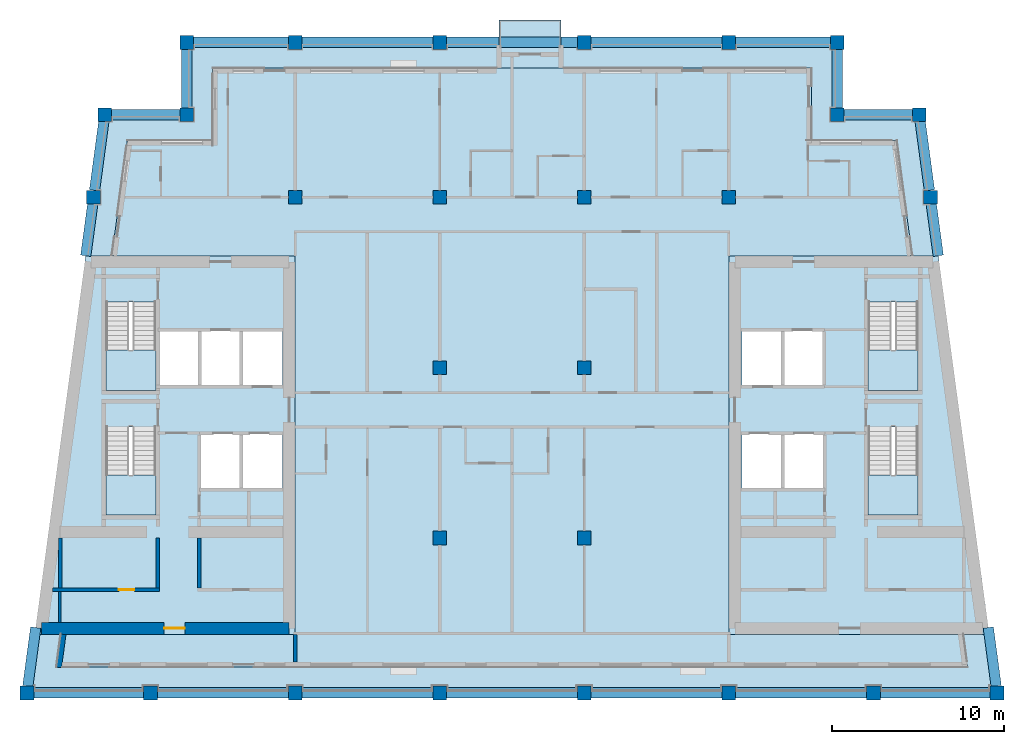
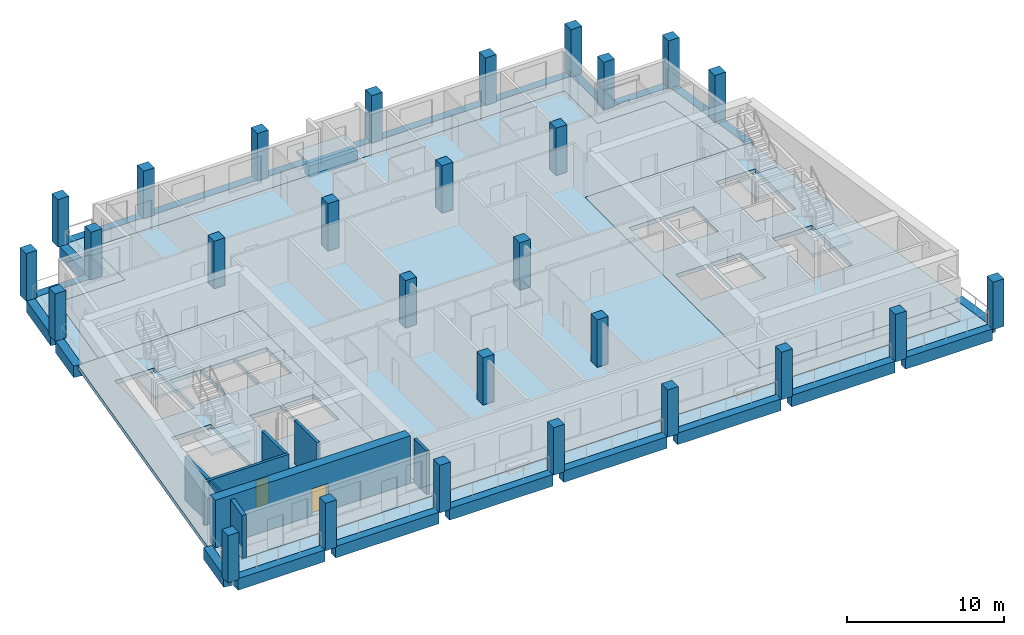
# One storey, part 1 of 13: 28 columns, 24 beams, 10 slabs, 8 walls, 2 doors, 2 openings, 4 elements without a shape of their own.
"""IFC4 building model written with IfcOpenShell, lengths in metres."""

from ifc_helpers import new_model, si_unit, direction, frame, frame_2d, origin, origin_2d, place, context, subcontext, project, spatial, polyline, rectangle, outline, extrude, material, layer, layer_set, material_profile, profile_set, type_object, element, fill, aggregate, save


model = new_model("IFC4")

# Units and contexts
model_context = context("Model", 3, precision=1e-05, world=origin(), true_north=direction((0.0, 1.0)))
body_context = subcontext(model_context, "Body", "Model", "MODEL_VIEW")
ifc_project = project(units=[si_unit("LENGTHUNIT", "METRE"), si_unit("AREAUNIT", "SQUARE_METRE"), si_unit("VOLUMEUNIT", "CUBIC_METRE"), si_unit("PLANEANGLEUNIT", "RADIAN"), si_unit("MASSUNIT", "GRAM", prefix="KILO")], contexts=[model_context])

# Site, building, storey
site_placement = place(None, origin())
site = spatial("IfcSite", under=ifc_project, at=site_placement, CompositionType="ELEMENT")
building_placement = place(site_placement, origin())
building = spatial("IfcBuilding", under=site, at=building_placement, Name="Candeia Pilgrim Tower and Theatre", CompositionType="ELEMENT")
storey_placement = place(building_placement, frame((0.0, 0.0, 262.699951171875)))
storey = spatial("IfcBuildingStorey", under=building, at=storey_placement, Name="L63", CompositionType="ELEMENT", Elevation=262.699951171875)

# Columns
ifc_material_1 = material(Name="Concrete C40/50", Category="concrete")
ifc_material_profile_1 = material_profile(ifc_material_1, rectangle(XDim=0.800048828125, YDim=0.800048828125, at=origin_2d()))
ifc_profile_set_1 = profile_set([ifc_material_profile_1], Name="Concrete C40/50")
column_type = type_object("IfcColumnType", Name="RC 800x800 C40/50", PredefinedType="COLUMN", material=ifc_profile_set_1)
for number, where, z_axis, x_axis, name in (
    (1, (94.5, 140.60009765625, 0.0), (0.0, 0.0, 1.0), (1.0, 0.0, 0.0), "Column NNW"),
    (2, (132.300048828125, 140.60009765625, 0.0), (0.0, 0.0, 1.0), (1.0, 0.0, 0.0), "Column NNE"),
    (3, (89.734619140625, 140.60009765625, 0.0), (0.0, 0.0, 1.0), (1.0, 0.0, 0.0), "Column LNW"),
    (4, (137.0654296875, 140.60009765625, 0.0), (0.0, 0.0, 1.0), (1.0, 0.0, 0.0), "Column LNE"),
    (5, (92.39990234375, 107.0, 0.0), (0.0, 0.0, 1.0), (1.0, 0.0, 0.0), "Column B1"),
    (6, (100.800048828125, 107.0, 0.0), (0.0, 0.0, 1.0), (1.0, 0.0, 0.0), "Column B2"),
    (7, (109.199951171875, 107.0, 0.0), (0.0, 0.0, 1.0), (1.0, 0.0, 0.0), "Column B3"),
    (8, (117.60009765625, 107.0, 0.0), (0.0, 0.0, 1.0), (1.0, 0.0, 0.0), "Column B4"),
    (9, (126.0, 107.0, 0.0), (0.0, 0.0, 1.0), (1.0, 0.0, 0.0), "Column B5"),
    (10, (134.39990234375, 107.0, 0.0), (0.0, 0.0, 1.0), (1.0, 0.0, 0.0), "Column B6"),
    (11, (85.21142578125, 107.0, 0.0), (0.0, 0.0, 1.0), (1.0, 0.0, 0.0), "Column BW"),
    (12, (141.58837890625, 107.0, 0.0), (0.0, 0.0, 1.0), (1.0, 0.0, 0.0), "Column BE"),
    (13, (109.199951171875, 116.0, 0.0), (0.0, 0.0, 1.0), (1.0, 0.0, 0.0), "Column C3"),
    (14, (117.60009765625, 116.0, 0.0), (0.0, 0.0, 1.0), (1.0, 0.0, 0.0), "Column C4"),
    (15, (109.199951171875, 125.89990234375, 0.0), (0.0, 0.0, 1.0), (1.0, 0.0, 0.0), "Column D3"),
    (16, (117.60009765625, 125.89990234375, 0.0), (0.0, 0.0, 1.0), (1.0, 0.0, 0.0), "Column D4"),
    (17, (100.800048828125, 135.800048828125, 0.0), (0.0, 0.0, 1.0), (1.0, 0.0, 0.0), "Column E2"),
    (18, (109.199951171875, 135.800048828125, 0.0), (0.0, 0.0, 1.0), (1.0, 0.0, 0.0), "Column E3"),
    (19, (117.60009765625, 135.800048828125, 0.0), (0.0, 0.0, 1.0), (1.0, 0.0, 0.0), "Column E4"),
    (20, (126.0, 135.800048828125, 0.0), (0.0, 0.0, 1.0), (1.0, 0.0, 0.0), "Column E5"),
    (21, (89.08837890625, 135.800048828125, 0.0), (0.0, 0.0, 1.0), (1.0, 0.0, 0.0), "Column EW"),
    (22, (137.71142578125, 135.800048828125, 0.0), (0.0, 0.0, 1.0), (1.0, 0.0, 0.0), "Column EE"),
    (23, (100.800048828125, 144.800048828125, 0.0), (0.0, 0.0, 1.0), (1.0, 0.0, 0.0), "Column F2"),
    (24, (109.199951171875, 144.800048828125, 0.0), (0.0, 0.0, 1.0), (1.0, 0.0, 0.0), "Column F3"),
    (25, (117.60009765625, 144.800048828125, 0.0), (0.0, 0.0, 1.0), (1.0, 0.0, 0.0), "Column F4"),
    (26, (126.0, 144.800048828125, 0.0), (0.0, 0.0, 1.0), (1.0, 0.0, 0.0), "Column F5"),
    (27, (94.5, 144.800048828125, 0.0), (0.0, 0.0, 1.0), (1.0, 0.0, 0.0), "Column FW"),
    (28, (132.300048828125, 144.800048828125, 0.0), (0.0, 0.0, 1.0), (1.0, 0.0, 0.0), "Column FE"),
):
    element("IfcColumn", number, at=place(storey_placement, frame(where, z_axis=z_axis, x_axis=x_axis)), inside=storey, type_object=column_type, Name=name, PredefinedType="COLUMN", context=body_context, shape_type="SweptSolid", body=[
        extrude(rectangle(XDim=0.800048828125, YDim=0.800048828125, at=origin_2d()), origin(), (0.0, 0.0, 1.0), 3.699951171875),
    ])

# Beams
ifc_material_profile_2 = material_profile(ifc_material_1, rectangle(XDim=0.60009765625, YDim=0.89990234375, at=origin_2d()))
ifc_profile_set_2 = profile_set([ifc_material_profile_2], Name="Concrete C40/50")
beam_type = type_object("IfcBeamType", Name="RC 600x900 C40/50", PredefinedType="BEAM", material=ifc_profile_set_2)
beam_1_placement = place(storey_placement, frame((90.134521484375, 140.60009765625, -0.449951171875), z_axis=(1.0, 0.0, 0.0), x_axis=(0.0, 1.0, 0.0)))
element("IfcBeam", 29, at=beam_1_placement, inside=storey, type_object=beam_type, Name="Spandrel beam L63-01", PredefinedType="BEAM", context=body_context, shape_type="SweptSolid", body=[
    extrude(rectangle(XDim=0.60009765625, YDim=0.89990234375, at=origin_2d()), origin(), (0.0, 0.0, 1.0), 3.965576171875),
])
beam_2_placement = place(storey_placement, frame((94.5, 141.0, -0.449951171875), z_axis=(0.0, 1.0, 0.0), x_axis=(-1.0, 0.0, 0.0)))
element("IfcBeam", 30, at=beam_2_placement, inside=storey, type_object=beam_type, Name="Spandrel beam L63-02", PredefinedType="BEAM", context=body_context, shape_type="SweptSolid", body=[
    extrude(rectangle(XDim=0.60009765625, YDim=0.89990234375, at=origin_2d()), origin(), (0.0, 0.0, 1.0), 3.39990234375),
])
beam_3_placement = place(storey_placement, frame((94.89990234375, 144.800048828125, -0.449951171875), z_axis=(1.0, 0.0, 0.0), x_axis=(0.0, 1.0, 0.0)))
element("IfcBeam", 31, at=beam_3_placement, inside=storey, type_object=beam_type, Name="Spandrel beam L63-03", PredefinedType="BEAM", context=body_context, shape_type="SweptSolid", body=[
    extrude(rectangle(XDim=0.60009765625, YDim=0.89990234375, at=origin_2d()), origin(), (0.0, 0.0, 1.0), 5.5),
])
beam_4_placement = place(storey_placement, frame((101.199951171875, 144.800048828125, -0.449951171875), z_axis=(1.0, 0.0, 0.0), x_axis=(0.0, 1.0, 0.0)))
element("IfcBeam", 32, at=beam_4_placement, inside=storey, type_object=beam_type, Name="Spandrel beam L63-04", PredefinedType="BEAM", context=body_context, shape_type="SweptSolid", body=[
    extrude(rectangle(XDim=0.60009765625, YDim=0.89990234375, at=origin_2d()), origin(), (0.0, 0.0, 1.0), 7.60009765625),
])
beam_5_placement = place(storey_placement, frame((109.60009765625, 144.800048828125, -0.449951171875), z_axis=(1.0, 0.0, 0.0), x_axis=(0.0, 1.0, 0.0)))
element("IfcBeam", 33, at=beam_5_placement, inside=storey, type_object=beam_type, Name="Spandrel beam L63-05", PredefinedType="BEAM", context=body_context, shape_type="SweptSolid", body=[
    extrude(rectangle(XDim=0.60009765625, YDim=0.89990234375, at=origin_2d()), origin(), (0.0, 0.0, 1.0), 3.0498046875),
])
beam_6_placement = place(storey_placement, frame((112.64990234375, 144.800048828125, -0.699951171875), z_axis=(1.0, 0.0, 0.0), x_axis=(0.0, 1.0, 0.0)))
element("IfcBeam", 34, at=beam_6_placement, inside=storey, type_object=beam_type, Name="Spandrel beam L63-06", PredefinedType="BEAM", context=body_context, shape_type="SweptSolid", body=[
    extrude(rectangle(XDim=0.60009765625, YDim=0.89990234375, at=origin_2d()), origin(), (0.0, 0.0, 1.0), 3.60009765625),
])
beam_7_placement = place(storey_placement, frame((116.25, 144.800048828125, -0.449951171875), z_axis=(1.0, 0.0, 0.0), x_axis=(0.0, 1.0, 0.0)))
element("IfcBeam", 35, at=beam_7_placement, inside=storey, type_object=beam_type, Name="Spandrel beam L63-07", PredefinedType="BEAM", context=body_context, shape_type="SweptSolid", body=[
    extrude(rectangle(XDim=0.60009765625, YDim=0.89990234375, at=origin_2d()), origin(), (0.0, 0.0, 1.0), 0.949951171875),
])
beam_8_placement = place(storey_placement, frame((118.0, 144.800048828125, -0.449951171875), z_axis=(1.0, 0.0, 0.0), x_axis=(0.0, 1.0, 0.0)))
element("IfcBeam", 36, at=beam_8_placement, inside=storey, type_object=beam_type, Name="Spandrel beam L63-08", PredefinedType="BEAM", context=body_context, shape_type="SweptSolid", body=[
    extrude(rectangle(XDim=0.60009765625, YDim=0.89990234375, at=origin_2d()), origin(), (0.0, 0.0, 1.0), 7.60009765625),
])
beam_9_placement = place(storey_placement, frame((126.39990234375, 144.800048828125, -0.449951171875), z_axis=(1.0, 0.0, 0.0), x_axis=(0.0, 1.0, 0.0)))
element("IfcBeam", 37, at=beam_9_placement, inside=storey, type_object=beam_type, Name="Spandrel beam L63-09", PredefinedType="BEAM", context=body_context, shape_type="SweptSolid", body=[
    extrude(rectangle(XDim=0.60009765625, YDim=0.89990234375, at=origin_2d()), origin(), (0.0, 0.0, 1.0), 5.5),
])
beam_10_placement = place(storey_placement, frame((132.300048828125, 144.39990234375, -0.449951171875), z_axis=(0.0, -1.0, 0.0), x_axis=(1.0, 0.0, 0.0)))
element("IfcBeam", 38, at=beam_10_placement, inside=storey, type_object=beam_type, Name="Spandrel beam L63-10", PredefinedType="BEAM", context=body_context, shape_type="SweptSolid", body=[
    extrude(rectangle(XDim=0.60009765625, YDim=0.89990234375, at=origin_2d()), origin(), (0.0, 0.0, 1.0), 3.39990234375),
])
beam_11_placement = place(storey_placement, frame((132.699951171875, 140.60009765625, -0.449951171875), z_axis=(1.0, 0.0, 0.0), x_axis=(0.0, 1.0, 0.0)))
element("IfcBeam", 39, at=beam_11_placement, inside=storey, type_object=beam_type, Name="Spandrel beam L63-11", PredefinedType="BEAM", context=body_context, shape_type="SweptSolid", body=[
    extrude(rectangle(XDim=0.60009765625, YDim=0.89990234375, at=origin_2d()), origin(), (0.0, 0.0, 1.0), 3.96533203125),
])
beam_12_placement = place(storey_placement, frame((137.119140625, 140.199951171875, -0.449951171875), z_axis=(0.133439433328, -0.991056969923, 0.0), x_axis=(0.991056969923, 0.133439433328, 0.0)))
element("IfcBeam", 40, at=beam_12_placement, inside=storey, type_object=beam_type, Name="Spandrel beam L63-12", PredefinedType="BEAM", context=body_context, shape_type="SweptSolid", body=[
    extrude(rectangle(XDim=0.60009765625, YDim=0.89990234375, at=origin_2d()), origin(), (0.0, 0.0, 1.0), 4.0361328125),
])
beam_13_placement = place(storey_placement, frame((137.765380859375, 135.39990234375, -0.449951171875), z_axis=(0.133399824849, -0.991062302144, 0.0), x_axis=(0.991062302144, 0.133399824849, 0.0)))
element("IfcBeam", 41, at=beam_13_placement, inside=storey, type_object=beam_type, Name="Spandrel beam L63-13", PredefinedType="BEAM", context=body_context, shape_type="SweptSolid", body=[
    extrude(rectangle(XDim=0.60009765625, YDim=0.89990234375, at=origin_2d()), origin(), (0.0, 0.0, 1.0), 3.027099609375),
])
beam_14_placement = place(storey_placement, frame((141.077392578125, 110.796630859375, -0.449951171875), z_axis=(0.133418739522, -0.991059755991, 0.0), x_axis=(0.991059755991, 0.133418739522, 0.0)))
element("IfcBeam", 42, at=beam_14_placement, inside=storey, type_object=beam_type, Name="Spandrel beam L63-14", PredefinedType="BEAM", context=body_context, shape_type="SweptSolid", body=[
    extrude(rectangle(XDim=0.60009765625, YDim=0.89990234375, at=origin_2d()), origin(), (0.0, 0.0, 1.0), 3.427490234375),
])
beam_15_placement = place(storey_placement, frame((141.1884765625, 107.0, -0.449951171875), z_axis=(-1.0, 0.0, 0.0), x_axis=(0.0, -1.0, 0.0)))
element("IfcBeam", 43, at=beam_15_placement, inside=storey, type_object=beam_type, Name="Spandrel beam L63-15", PredefinedType="BEAM", context=body_context, shape_type="SweptSolid", body=[
    extrude(rectangle(XDim=0.60009765625, YDim=0.89990234375, at=origin_2d()), origin(), (0.0, 0.0, 1.0), 6.388427734375),
])
for number, where, z_axis, x_axis, name in (
    (44, (134.0, 107.0, -0.449951171875), (-1.0, 0.0, 0.0), (0.0, -1.0, 0.0), "Spandrel beam L63-16"),
    (45, (125.60009765625, 107.0, -0.449951171875), (-1.0, 0.0, 0.0), (0.0, -1.0, 0.0), "Spandrel beam L63-17"),
):
    element("IfcBeam", number, at=place(storey_placement, frame(where, z_axis=z_axis, x_axis=x_axis)), inside=storey, type_object=beam_type, Name=name, PredefinedType="BEAM", context=body_context, shape_type="SweptSolid", body=[
        extrude(rectangle(XDim=0.60009765625, YDim=0.89990234375, at=origin_2d()), origin(), (0.0, 0.0, 1.0), 7.60009765625),
    ])
beam_16_placement = place(storey_placement, frame((117.199951171875, 107.0, -0.449951171875), z_axis=(-1.0, 0.0, 0.0), x_axis=(0.0, -1.0, 0.0)))
element("IfcBeam", 46, at=beam_16_placement, inside=storey, type_object=beam_type, Name="Spandrel beam L63-18", PredefinedType="BEAM", context=body_context, shape_type="SweptSolid", body=[
    extrude(rectangle(XDim=0.60009765625, YDim=0.89990234375, at=origin_2d()), origin(), (0.0, 0.0, 1.0), 7.599853515625),
])
beam_17_placement = place(storey_placement, frame((108.800048828125, 107.0, -0.449951171875), z_axis=(-1.0, 0.0, 0.0), x_axis=(0.0, -1.0, 0.0)))
element("IfcBeam", 47, at=beam_17_placement, inside=storey, type_object=beam_type, Name="Spandrel beam L63-19", PredefinedType="BEAM", context=body_context, shape_type="SweptSolid", body=[
    extrude(rectangle(XDim=0.60009765625, YDim=0.89990234375, at=origin_2d()), origin(), (0.0, 0.0, 1.0), 7.60009765625),
])
beam_18_placement = place(storey_placement, frame((100.39990234375, 107.0, -0.449951171875), z_axis=(-1.0, 0.0, 0.0), x_axis=(0.0, -1.0, 0.0)))
element("IfcBeam", 48, at=beam_18_placement, inside=storey, type_object=beam_type, Name="Spandrel beam L63-20", PredefinedType="BEAM", context=body_context, shape_type="SweptSolid", body=[
    extrude(rectangle(XDim=0.60009765625, YDim=0.89990234375, at=origin_2d()), origin(), (0.0, 0.0, 1.0), 7.599853515625),
])
beam_19_placement = place(storey_placement, frame((92.0, 107.0, -0.449951171875), z_axis=(-1.0, 0.0, 0.0), x_axis=(0.0, -1.0, 0.0)))
element("IfcBeam", 49, at=beam_19_placement, inside=storey, type_object=beam_type, Name="Spandrel beam L63-21", PredefinedType="BEAM", context=body_context, shape_type="SweptSolid", body=[
    extrude(rectangle(XDim=0.60009765625, YDim=0.89990234375, at=origin_2d()), origin(), (0.0, 0.0, 1.0), 6.388427734375),
])
beam_20_placement = place(storey_placement, frame((85.265380859375, 107.39990234375, -0.449951171875), z_axis=(0.133418739522, 0.991059755991, 0.0), x_axis=(-0.991059755991, 0.133418739522, 0.0)))
element("IfcBeam", 50, at=beam_20_placement, inside=storey, type_object=beam_type, Name="Spandrel beam L63-22", PredefinedType="BEAM", context=body_context, shape_type="SweptSolid", body=[
    extrude(rectangle(XDim=0.60009765625, YDim=0.89990234375, at=origin_2d()), origin(), (0.0, 0.0, 1.0), 3.427490234375),
])
beam_21_placement = place(storey_placement, frame((88.630859375, 132.39990234375, -0.449951171875), z_axis=(0.133399824849, 0.991062302144, 0.0), x_axis=(-0.991062302144, 0.133399824849, 0.0)))
element("IfcBeam", 51, at=beam_21_placement, inside=storey, type_object=beam_type, Name="Spandrel beam L63-23", PredefinedType="BEAM", context=body_context, shape_type="SweptSolid", body=[
    extrude(rectangle(XDim=0.60009765625, YDim=0.89990234375, at=origin_2d()), origin(), (0.0, 0.0, 1.0), 3.027099609375),
])
beam_22_placement = place(storey_placement, frame((89.142333984375, 136.199951171875, -0.449951171875), z_axis=(0.13338002037, 0.991064967682, 0.0), x_axis=(-0.991064967682, 0.13338002037, 0.0)))
element("IfcBeam", 52, at=beam_22_placement, inside=storey, type_object=beam_type, Name="Spandrel beam L63-24", PredefinedType="BEAM", context=body_context, shape_type="SweptSolid", body=[
    extrude(rectangle(XDim=0.60009765625, YDim=0.89990234375, at=origin_2d()), origin(), (0.0, 0.0, 1.0), 4.0361328125),
])

# Slabs
ifc_layer_1 = layer(ifc_material_1, 0.25)
ifc_layer_set_1 = layer_set([ifc_layer_1], Name="BK1 balcony slab 250")
slab_type_1 = type_object("IfcSlabType", Name="BK1 balcony slab 250", PredefinedType="USERDEFINED", material=ifc_layer_set_1)
slab_1_placement = place(storey_placement, frame((0.0, 0.0, -0.25)))
element("IfcSlab", 53, at=slab_1_placement, inside=storey, type_object=slab_type_1, Name="Balcony L63", ObjectType="BALCONY", PredefinedType="USERDEFINED", context=body_context, shape_type="SweptSolid", body=[
    extrude(outline(polyline([(112.64990234375, 144.5), (116.25, 144.5), (116.25, 146.10009765625), (112.64990234375, 146.10009765625), (112.64990234375, 144.5)])), origin(), (0.0, 0.0, 1.0), 0.25),
])
ifc_material_2 = material(Name="Concrete C60/75", Category="concrete")
ifc_layer_2 = layer(ifc_material_2, 0.320068359375)
ifc_layer_set_2 = layer_set([ifc_layer_2], Name="FS-CORE 320 core floor")
slab_type_2 = type_object("IfcSlabType", Name="FS-CORE 320 core floor", PredefinedType="FLOOR", material=ifc_layer_set_2)
slab_2_placement = place(storey_placement, frame((0.0, 0.0, -0.320068359375)))
element("IfcSlab", 54, at=slab_2_placement, inside=storey, type_object=slab_type_2, Name="Core floor W L63", PredefinedType="FLOOR", context=body_context, shape_type="SweptSolid", body=[
    extrude(outline(polyline([(100.800048828125, 132.39990234375), (100.800048828125, 110.39990234375), (85.669189453125, 110.39990234375), (88.630859375, 132.39990234375), (100.800048828125, 132.39990234375)]), holes=[polyline([(97.71337890625, 122.050048828125), (97.71337890625, 118.85009765625), (100.050048828125, 118.85009765625), (100.050048828125, 122.050048828125), (97.71337890625, 122.050048828125)]), polyline([(97.7255859375, 128.050048828125), (97.7255859375, 124.85009765625), (100.050048828125, 124.85009765625), (100.050048828125, 128.050048828125), (97.7255859375, 128.050048828125)]), polyline([(95.30126953125, 128.050048828125), (95.30126953125, 124.85009765625), (97.625732421875, 124.85009765625), (97.625732421875, 128.050048828125), (95.30126953125, 128.050048828125)]), polyline([(95.277099609375, 122.050048828125), (95.277099609375, 118.85009765625), (97.613525390625, 118.85009765625), (97.613525390625, 122.050048828125), (95.277099609375, 122.050048828125)]), polyline([(92.876953125, 128.050048828125), (92.876953125, 124.85009765625), (95.201416015625, 124.85009765625), (95.201416015625, 128.050048828125), (92.876953125, 128.050048828125)]), polyline([(89.802001953125, 117.324951171875), (92.701904296875, 117.324951171875), (92.701904296875, 122.455078125), (89.802001953125, 122.455078125), (89.802001953125, 117.324951171875)]), polyline([(89.802001953125, 129.705078125), (89.802001953125, 124.574951171875), (92.701904296875, 124.574951171875), (92.701904296875, 129.705078125), (89.802001953125, 129.705078125)])]), origin(), (0.0, 0.0, 1.0), 0.320068359375),
])
slab_3_placement = place(storey_placement, frame((0.0, 0.0, -0.320068359375)))
element("IfcSlab", 55, at=slab_3_placement, inside=storey, type_object=slab_type_2, Name="Core floor E L63", PredefinedType="FLOOR", context=body_context, shape_type="SweptSolid", body=[
    extrude(outline(polyline([(138.169189453125, 132.39990234375), (141.130859375, 110.39990234375), (126.0, 110.39990234375), (126.0, 132.39990234375), (138.169189453125, 132.39990234375)]), holes=[polyline([(134.097900390625, 117.324951171875), (136.998046875, 117.324951171875), (136.998046875, 122.455078125), (134.097900390625, 122.455078125), (134.097900390625, 117.324951171875)]), polyline([(134.097900390625, 129.705078125), (134.097900390625, 124.574951171875), (136.998046875, 124.574951171875), (136.998046875, 129.705078125), (134.097900390625, 129.705078125)]), polyline([(131.52294921875, 122.050048828125), (129.1865234375, 122.050048828125), (129.1865234375, 118.85009765625), (131.52294921875, 118.85009765625), (131.52294921875, 122.050048828125)]), polyline([(131.498779296875, 128.050048828125), (129.17431640625, 128.050048828125), (129.17431640625, 124.85009765625), (131.498779296875, 124.85009765625), (131.498779296875, 128.050048828125)]), polyline([(129.08642578125, 122.050048828125), (126.75, 122.050048828125), (126.75, 118.85009765625), (129.08642578125, 118.85009765625), (129.08642578125, 122.050048828125)]), polyline([(126.75, 128.050048828125), (126.75, 124.85009765625), (129.07421875, 124.85009765625), (129.07421875, 128.050048828125), (126.75, 128.050048828125)])]), origin(), (0.0, 0.0, 1.0), 0.320068359375),
])
ifc_material_3 = material(Name="Concrete C50/60", Category="concrete")
ifc_layer_3 = layer(ifc_material_3, 0.320068359375)
ifc_layer_set_3 = layer_set([ifc_layer_3], Name="Floor slab 320 C50/60")
slab_type_3 = type_object("IfcSlabType", Name="Floor slab 320 C50/60", PredefinedType="FLOOR", material=ifc_layer_set_3)
slab_4_placement = place(storey_placement, frame((0.0, 0.0, -0.320068359375)))
element("IfcSlab", 56, at=slab_4_placement, inside=storey, type_object=slab_type_3, Name="Floor slab L63", PredefinedType="FLOOR", context=body_context, shape_type="SweptSolid", body=[
    extrude(outline(polyline([(96.0, 139.10009765625), (96.0, 143.300048828125), (130.800048828125, 143.300048828125), (130.800048828125, 139.10009765625), (135.753662109375, 139.10009765625), (136.65576171875, 132.39990234375), (126.0, 132.39990234375), (126.0, 110.39990234375), (139.6171875, 110.39990234375), (139.873046875, 108.5), (86.927001953125, 108.5), (87.182861328125, 110.39990234375), (100.800048828125, 110.39990234375), (100.800048828125, 132.39990234375), (90.144287109375, 132.39990234375), (91.046142578125, 139.10009765625), (96.0, 139.10009765625)])), origin(), (0.0, 0.0, 1.0), 0.320068359375),
])
ifc_layer_4 = layer(ifc_material_1, 0.25)
ifc_layer_set_4 = layer_set([ifc_layer_4], Name="Loggia slab 250 C40/50")
slab_type_4 = type_object("IfcSlabType", Name="Loggia slab 250 C40/50", PredefinedType="FLOOR", material=ifc_layer_set_4)
slab_5_placement = place(storey_placement, frame((0.0, 0.0, -0.25)))
element("IfcSlab", 57, at=slab_5_placement, inside=storey, type_object=slab_type_4, Name="Loggia slab L63 1", PredefinedType="FLOOR", context=body_context, shape_type="SweptSolid", body=[
    extrude(outline(polyline([(86.927001953125, 108.5), (139.873046875, 108.5), (139.6171875, 110.39990234375), (140.828125, 110.39990234375), (141.245361328125, 107.300048828125), (85.5546875, 107.300048828125), (85.971923828125, 110.39990234375), (87.182861328125, 110.39990234375), (86.927001953125, 108.5)])), origin(), (0.0, 0.0, 1.0), 0.25),
])
slab_6_placement = place(storey_placement, frame((0.0, 0.0, -0.25)))
element("IfcSlab", 58, at=slab_6_placement, inside=storey, type_object=slab_type_4, Name="Loggia slab L63 2", PredefinedType="FLOOR", context=body_context, shape_type="SweptSolid", body=[
    extrude(outline(polyline([(136.65576171875, 132.39990234375), (135.753662109375, 139.10009765625), (130.800048828125, 139.10009765625), (130.800048828125, 143.300048828125), (96.0, 143.300048828125), (96.0, 139.10009765625), (91.046142578125, 139.10009765625), (90.144287109375, 132.39990234375), (88.93359375, 132.39990234375), (89.996826171875, 140.300048828125), (94.800048828125, 140.300048828125), (94.800048828125, 144.5), (132.0, 144.5), (132.0, 140.300048828125), (136.802978515625, 140.300048828125), (137.866455078125, 132.39990234375), (136.65576171875, 132.39990234375)])), origin(), (0.0, 0.0, 1.0), 0.25),
])

# Stair, slab
stair_type = type_object("IfcStairType", Name="ST-TWR dog-leg escape stair", PredefinedType="HALF_TURN_STAIR", material=ifc_material_1)
stair_1_placement = place(storey_placement, origin())
stair_1 = element("IfcStair", 59, at=stair_1_placement, inside=storey, type_object=stair_type, Name="L63 Escape stair ST1", PredefinedType="HALF_TURN_STAIR")
ifc_layer_5 = layer(ifc_material_1, 0.199951171875)
ifc_layer_set_5 = layer_set([ifc_layer_5], Name="SL-LANDING stair landing")
slab_type_5 = type_object("IfcSlabType", Name="SL-LANDING stair landing", PredefinedType="LANDING", material=ifc_layer_set_5)
slab_7_placement = place(storey_placement, frame((0.0, 0.0, 1.650146484375)))
slab_7 = element("IfcSlab", 60, at=slab_7_placement, type_object=slab_type_5, Name="ST1 landing 1", PredefinedType="LANDING", context=body_context, shape_type="SweptSolid", body=[
    extrude(outline(polyline([(89.802001953125, 119.675048828125), (89.802001953125, 117.324951171875), (92.701904296875, 117.324951171875), (92.701904296875, 119.675048828125), (89.802001953125, 119.675048828125)])), origin(), (0.0, 0.0, 1.0), 0.199951171875),
])
aggregate(stair_1, [slab_7])

stair_2_placement = place(storey_placement, origin())
stair_2 = element("IfcStair", 61, at=stair_2_placement, inside=storey, type_object=stair_type, Name="L63 Escape stair ST2", PredefinedType="HALF_TURN_STAIR")
slab_8_placement = place(storey_placement, frame((0.0, 0.0, 1.650146484375)))
slab_8 = element("IfcSlab", 62, at=slab_8_placement, type_object=slab_type_5, Name="ST2 landing 1", PredefinedType="LANDING", context=body_context, shape_type="SweptSolid", body=[
    extrude(outline(polyline([(89.802001953125, 126.925048828125), (89.802001953125, 124.574951171875), (92.701904296875, 124.574951171875), (92.701904296875, 126.925048828125), (89.802001953125, 126.925048828125)])), origin(), (0.0, 0.0, 1.0), 0.199951171875),
])
aggregate(stair_2, [slab_8])

stair_3_placement = place(storey_placement, origin())
stair_3 = element("IfcStair", 63, at=stair_3_placement, inside=storey, type_object=stair_type, Name="L63 Escape stair ST3", PredefinedType="HALF_TURN_STAIR")
slab_9_placement = place(storey_placement, frame((0.0, 0.0, 1.650146484375)))
slab_9 = element("IfcSlab", 64, at=slab_9_placement, type_object=slab_type_5, Name="ST3 landing 1", PredefinedType="LANDING", context=body_context, shape_type="SweptSolid", body=[
    extrude(outline(polyline([(134.097900390625, 119.675048828125), (134.097900390625, 117.324951171875), (136.998046875, 117.324951171875), (136.998046875, 119.675048828125), (134.097900390625, 119.675048828125)])), origin(), (0.0, 0.0, 1.0), 0.199951171875),
])
aggregate(stair_3, [slab_9])

stair_4_placement = place(storey_placement, origin())
stair_4 = element("IfcStair", 65, at=stair_4_placement, inside=storey, type_object=stair_type, Name="L63 Escape stair ST4", PredefinedType="HALF_TURN_STAIR")
slab_10_placement = place(storey_placement, frame((0.0, 0.0, 1.650146484375)))
slab_10 = element("IfcSlab", 66, at=slab_10_placement, type_object=slab_type_5, Name="ST4 landing 1", PredefinedType="LANDING", context=body_context, shape_type="SweptSolid", body=[
    extrude(outline(polyline([(134.097900390625, 126.925048828125), (134.097900390625, 124.574951171875), (136.998046875, 124.574951171875), (136.998046875, 126.925048828125), (134.097900390625, 126.925048828125)])), origin(), (0.0, 0.0, 1.0), 0.199951171875),
])
aggregate(stair_4, [slab_10])

# Wall, opening, door
ifc_layer_6 = layer(ifc_material_1, 0.699951171875)
ifc_layer_set_6 = layer_set([ifc_layer_6], Name="Core wall 700 C40/50")
wall_type_1 = type_object("IfcWallType", Name="Core wall 700 C40/50", PredefinedType="SHEAR", material=ifc_layer_set_6)
wall_1_placement = place(storey_placement, frame((100.449951171875, 110.75, 0.0), z_axis=(0.0, 0.0, 1.0), x_axis=(-1.0, 0.0, 0.0)))
wall_1 = element("IfcWall", 67, at=wall_1_placement, inside=storey, type_object=wall_type_1, Name="Core wall W3", PredefinedType="SHEAR", context=body_context, shape_type="SweptSolid", body=[
    extrude(rectangle(XDim=14.38037109375, YDim=0.699951171875, at=frame_2d((7.190185546875, 0.0))), origin(), (0.0, 0.0, 1.0), 3.699951171875),
])
opening_1_placement = place(wall_1_placement, frame((6.060302734375, 0.0, 0.0)))
opening_1 = element("IfcOpeningElement", 68, at=opening_1_placement, cuts=wall_1, Name="Opening L63-D041", PredefinedType="OPENING", context=body_context, shape_type="SweptSolid", body=[
    extrude(rectangle(XDim=1.199951171875, YDim=2.10009765625, at=frame_2d((0.60009765625, 1.050048828125))), frame((0.0, 0.35986328125, 0.0), z_axis=(0.0, -1.0, 0.0), x_axis=(1.0, 0.0, 0.0)), (0.0, 0.0, 1.0), 0.719970703125),
])
ifc_material_4 = material(Name="Steel fire door set", Category="steel")
door_type_1 = type_object("IfcDoorType", Name="D-1200-FD60", OperationType="NOTDEFINED", PredefinedType="DOOR", material=ifc_material_4)
door_1_placement = place(opening_1_placement, origin())
door_1 = element("IfcDoor", 69, at=door_1_placement, inside=storey, type_object=door_type_1, Name="Door L63-D041", OperationType="SINGLE_SWING_RIGHT", OverallHeight=2.10009765625, OverallWidth=1.199951171875, PredefinedType="DOOR", context=body_context, shape_type="SweptSolid", body=[
    extrude(rectangle(XDim=1.199951171875, YDim=2.10009765625, at=frame_2d((0.60009765625, 1.050048828125))), frame((0.0, 0.02490234375, 0.0), z_axis=(0.0, -1.0, 0.0), x_axis=(1.0, 0.0, 0.0)), (0.0, 0.0, 1.0), 0.050048828125),
])
fill(opening_1, door_1)

# Walls
ifc_material_5 = material(Name="Ceramic block masonry", Category="masonry")
ifc_layer_7 = layer(ifc_material_5, 0.300048828125)
ifc_layer_set_7 = layer_set([ifc_layer_7], Name="EW1 glazing-line wall 300")
wall_type_2 = type_object("IfcWallType", Name="EW1 glazing-line wall 300", PredefinedType="SOLIDWALL", material=ifc_layer_set_7)
wall_2_placement = place(storey_placement, frame((87.334228515625, 110.39990234375, 0.0), z_axis=(0.0, 0.0, 1.0), x_axis=(-0.13345962011, -0.991054251694, 0.0)))
element("IfcWall", 70, at=wall_2_placement, inside=storey, type_object=wall_type_2, Name="External wall L63-0.1", PredefinedType="SOLIDWALL", context=body_context, shape_type="SweptSolid", body=[
    extrude(rectangle(XDim=1.937255859375, YDim=0.300048828125, at=frame_2d((0.96875, 0.0))), origin(), (0.0, 0.0, 1.0), 3.380126953125),
])
ifc_material_6 = material(Name="Gypsum board partition on steel studs", Category="steel")
ifc_layer_8 = layer(ifc_material_6, 0.14990234375)
ifc_layer_set_8 = layer_set([ifc_layer_8], Name="PW-150 lobby wall")
wall_type_3 = type_object("IfcWallType", Name="PW-150 lobby wall", PredefinedType="PARTITIONING", material=ifc_layer_set_8)
wall_3_placement = place(storey_placement, frame((87.126953125, 111.10009765625, 0.0), z_axis=(0.0, 0.0, 1.0), x_axis=(0.0, 1.0, 0.0)))
element("IfcWall", 71, at=wall_3_placement, inside=storey, type_object=wall_type_3, Name="Lobby wall L63-044", PredefinedType="PARTITIONING", context=body_context, shape_type="SweptSolid", body=[
    extrude(rectangle(XDim=1.7998046875, YDim=0.14990234375, at=frame_2d((0.89990234375, 0.0))), origin(), (0.0, 0.0, 1.0), 3.380126953125),
])
ifc_layer_9 = layer(ifc_material_6, 0.199951171875)
ifc_layer_set_9 = layer_set([ifc_layer_9], Name="PW-200 party wall")
wall_type_4 = type_object("IfcWallType", Name="PW-200 party wall", PredefinedType="PARTITIONING", material=ifc_layer_set_9)
wall_4_placement = place(storey_placement, frame((100.800048828125, 108.7900390625, 0.0), z_axis=(0.0, 0.0, 1.0), x_axis=(0.0, 1.0, 0.0)))
element("IfcWall", 72, at=wall_4_placement, inside=storey, type_object=wall_type_4, Name="Party wall L63-059", PredefinedType="PARTITIONING", context=body_context, shape_type="SweptSolid", body=[
    extrude(rectangle(XDim=1.60986328125, YDim=0.199951171875, at=frame_2d((0.804931640625, 0.0))), origin(), (0.0, 0.0, 1.0), 3.380126953125),
])

# Wall, opening, door
ifc_layer_10 = layer(ifc_material_1, 0.199951171875)
ifc_layer_set_10 = layer_set([ifc_layer_10], Name="SW-200 shaft wall")
wall_type_5 = type_object("IfcWallType", Name="SW-200 shaft wall", PredefinedType="PARTITIONING", material=ifc_layer_set_10)
wall_5_placement = place(storey_placement, frame((86.695556640625, 113.0, 0.0), z_axis=(0.0, 0.0, 1.0), x_axis=(1.0, 0.0, 0.0)))
wall_5 = element("IfcWall", 73, at=wall_5_placement, inside=storey, type_object=wall_type_5, Name="Shaft wall L63-002", PredefinedType="PARTITIONING", context=body_context, shape_type="SweptSolid", body=[
    extrude(rectangle(XDim=6.2314453125, YDim=0.199951171875, at=frame_2d((3.11572265625, 0.0))), origin(), (0.0, 0.0, 1.0), 3.380126953125),
])
opening_2_placement = place(wall_5_placement, frame((3.8564453125, 0.0, 0.0)))
opening_2 = element("IfcOpeningElement", 74, at=opening_2_placement, cuts=wall_5, Name="Opening L63-D005", PredefinedType="OPENING", context=body_context, shape_type="SweptSolid", body=[
    extrude(rectangle(XDim=0.89990234375, YDim=2.10009765625, at=frame_2d((0.449951171875, 1.050048828125))), frame((0.0, 0.10986328125, 0.0), z_axis=(0.0, -1.0, 0.0), x_axis=(1.0, 0.0, 0.0)), (0.0, 0.0, 1.0), 0.219970703125),
])
door_type_2 = type_object("IfcDoorType", Name="D-900-FD60", OperationType="NOTDEFINED", PredefinedType="DOOR", material=ifc_material_4)
door_2_placement = place(opening_2_placement, origin())
door_2 = element("IfcDoor", 75, at=door_2_placement, inside=storey, type_object=door_type_2, Name="Door L63-D005", OperationType="SINGLE_SWING_RIGHT", OverallHeight=2.10009765625, OverallWidth=0.89990234375, PredefinedType="DOOR", context=body_context, shape_type="SweptSolid", body=[
    extrude(rectangle(XDim=0.89990234375, YDim=2.10009765625, at=frame_2d((0.449951171875, 1.050048828125))), frame((0.0, 0.02490234375, 0.0), z_axis=(0.0, -1.0, 0.0), x_axis=(1.0, 0.0, 0.0)), (0.0, 0.0, 1.0), 0.050048828125),
])
fill(opening_2, door_2)

# Walls
for number, where, z_axis, x_axis, name in (
    (76, (87.1484375, 113.10009765625, 0.0), (0.0, 0.0, 1.0), (0.0, 1.0, 0.0), "Shaft wall L63-043"),
    (77, (92.826904296875, 113.10009765625, 0.0), (0.0, 0.0, 1.0), (0.0, 1.0, 0.0), "Shaft wall L63-047"),
    (78, (95.22705078125, 113.10009765625, 0.0), (0.0, 0.0, 1.0), (0.0, 1.0, 0.0), "Shaft wall L63-052"),
):
    element("IfcWall", number, at=place(storey_placement, frame(where, z_axis=z_axis, x_axis=x_axis)), inside=storey, type_object=wall_type_5, Name=name, PredefinedType="PARTITIONING", context=body_context, shape_type="SweptSolid", body=[
        extrude(rectangle(XDim=2.89990234375, YDim=0.199951171875, at=frame_2d((1.449951171875, 0.0))), origin(), (0.0, 0.0, 1.0), 3.380126953125),
    ])

save(model, "model.ifc")
